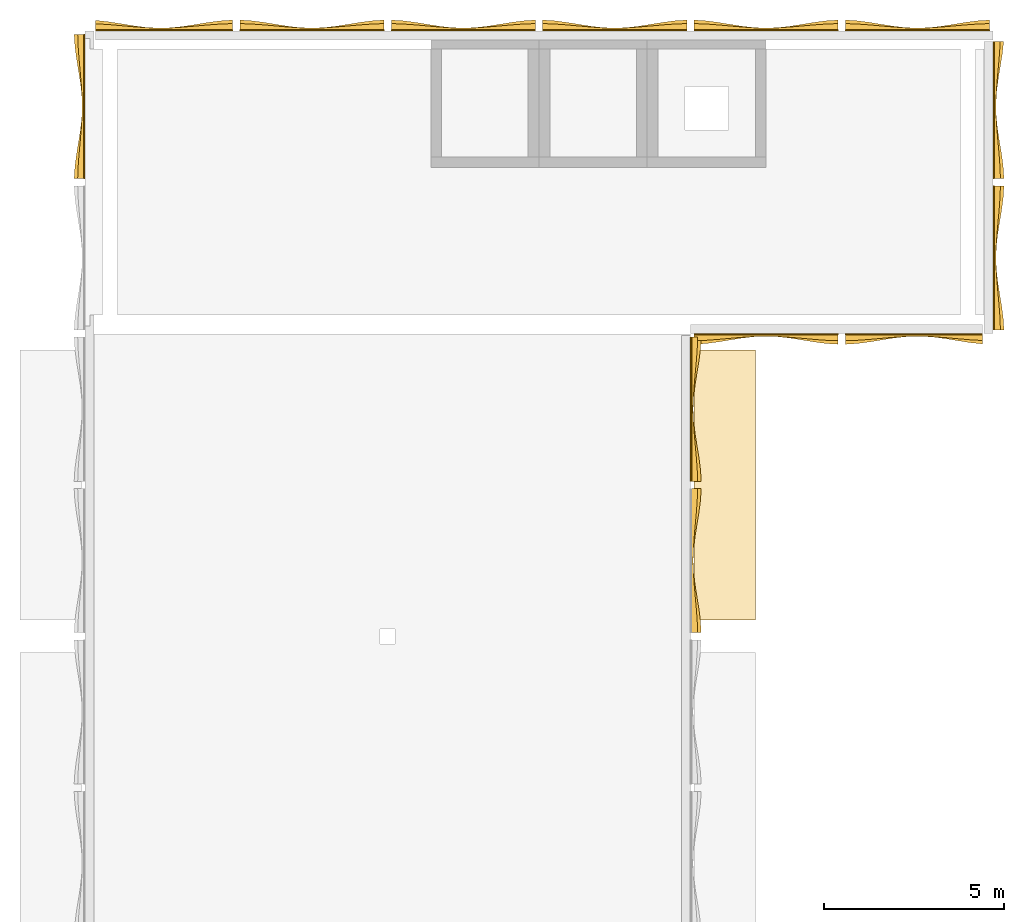
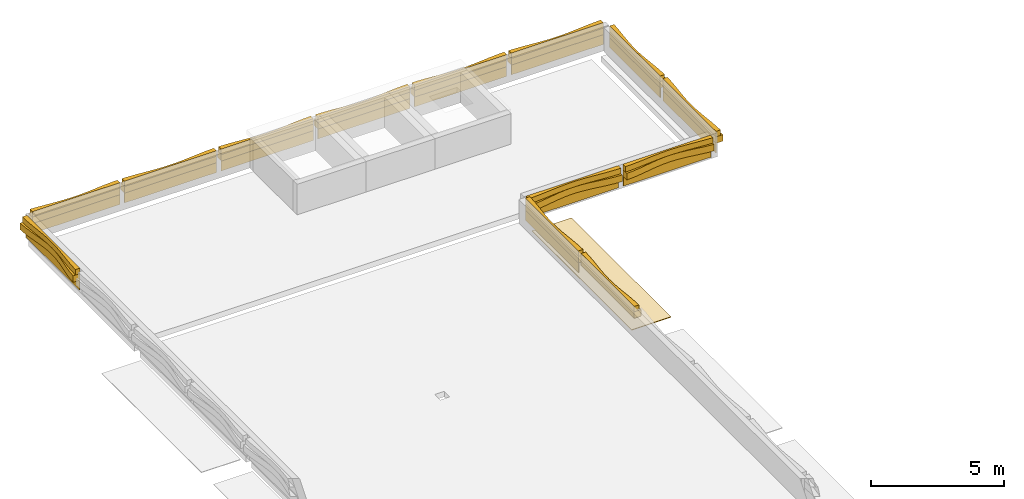
# One storey, part 4 of 4: 39 coverings.
"""IFC4 building model written with IfcOpenShell, lengths in metres."""

from ifc_helpers import new_model, si_unit, direction, frame, origin, origin_2d, place, context, subcontext, project, spatial, polyline, rectangle, outline, extrude, material, layer, layer_set, type_object, element, save


model = new_model("IFC4")

# Units and contexts
model_context = context("Model", 3, precision=1e-05, world=origin(), true_north=direction((0.0, 1.0)))
body_context = subcontext(model_context, "Body", "Model", "MODEL_VIEW")
ifc_project = project(units=[si_unit("LENGTHUNIT", "METRE"), si_unit("AREAUNIT", "SQUARE_METRE"), si_unit("VOLUMEUNIT", "CUBIC_METRE"), si_unit("PLANEANGLEUNIT", "RADIAN"), si_unit("MASSUNIT", "GRAM", prefix="KILO")], contexts=[model_context])

# Site, building, storey
site_placement = place(None, origin())
site = spatial("IfcSite", under=ifc_project, at=site_placement, CompositionType="ELEMENT")
building_placement = place(site_placement, origin())
building = spatial("IfcBuilding", under=site, at=building_placement, Name="Catenary Quay Ferry Terminal", CompositionType="ELEMENT")
storey_placement = place(building_placement, frame((0.0, 0.0, 24.10009765625)))
storey = spatial("IfcBuildingStorey", under=building, at=storey_placement, Name="ROOF", CompositionType="ELEMENT", Elevation=24.10009765625)

# Coverings
ifc_material_1 = material(Name="Facing brick", Category="masonry")
ifc_layer_1 = layer(ifc_material_1, 0.10009765625)
ifc_layer_set_1 = layer_set([ifc_layer_1], Name="CN1")
covering_type_1 = type_object("IfcCoveringType", Name="CN1", PredefinedType="CLADDING", material=ifc_layer_set_1)
covering_1_placement = place(storey_placement, frame((0.0, 0.0, 0.5498046875)))
element("IfcCovering", 1, at=covering_1_placement, inside=storey, type_object=covering_type_1, Name="Undulating corbelled cornice", PredefinedType="CLADDING", context=body_context, shape_type="SweptSolid", body=[
    extrude(outline(polyline([(25.199951171875, 205.89990234375), (24.9013671875, 205.89990234375), (24.9228515625, 206.2333984375), (24.96630859375, 206.566650390625), (25.02099609375, 206.89990234375), (25.073486328125, 207.2333984375), (25.111328125, 207.566650390625), (25.125, 207.89990234375), (25.111328125, 208.2333984375), (25.073486328125, 208.566650390625), (25.02099609375, 208.89990234375), (24.96630859375, 209.2333984375), (24.9228515625, 209.566650390625), (24.9013671875, 209.89990234375), (25.199951171875, 209.89990234375), (25.199951171875, 205.89990234375)])), origin(), (0.0, 0.0, 1.0), 0.300048828125),
])
covering_2_placement = place(storey_placement, frame((0.0, 0.0, 0.849853515625)))
element("IfcCovering", 2, at=covering_2_placement, inside=storey, type_object=covering_type_1, Name="Undulating corbelled cornice", PredefinedType="CLADDING", context=body_context, shape_type="SweptSolid", body=[
    extrude(outline(polyline([(25.199951171875, 205.89990234375), (25.000732421875, 205.89990234375), (25.0126953125, 206.2333984375), (25.036865234375, 206.566650390625), (25.067138671875, 206.89990234375), (25.096435546875, 207.2333984375), (25.117431640625, 207.566650390625), (25.125, 207.89990234375), (25.117431640625, 208.2333984375), (25.096435546875, 208.566650390625), (25.067138671875, 208.89990234375), (25.036865234375, 209.2333984375), (25.0126953125, 209.566650390625), (25.000732421875, 209.89990234375), (25.199951171875, 209.89990234375), (25.199951171875, 205.89990234375)])), origin(), (0.0, 0.0, 1.0), 0.25),
])
covering_3_placement = place(storey_placement, frame((0.0, 0.0, 0.5498046875)))
element("IfcCovering", 3, at=covering_3_placement, inside=storey, type_object=covering_type_1, Name="Undulating corbelled cornice", PredefinedType="CLADDING", context=body_context, shape_type="SweptSolid", body=[
    extrude(outline(polyline([(25.5, 210.0), (25.5, 210.288818359375), (25.845458984375, 210.25146484375), (26.19091796875, 210.197509765625), (26.536376953125, 210.140869140625), (26.8818359375, 210.09619140625), (27.227294921875, 210.07568359375), (27.57275390625, 210.084228515625), (27.918212890625, 210.119873046875), (28.263671875, 210.173095703125), (28.609130859375, 210.22998046875), (28.95458984375, 210.27587890625), (29.300048828125, 210.298583984375), (29.300048828125, 210.0), (25.5, 210.0)])), origin(), (0.0, 0.0, 1.0), 0.300048828125),
])
covering_4_placement = place(storey_placement, frame((0.0, 0.0, 0.849853515625)))
element("IfcCovering", 4, at=covering_4_placement, inside=storey, type_object=covering_type_1, Name="Undulating corbelled cornice", PredefinedType="CLADDING", context=body_context, shape_type="SweptSolid", body=[
    extrude(outline(polyline([(25.5, 210.0), (25.5, 210.19384765625), (25.845458984375, 210.173095703125), (26.19091796875, 210.14306640625), (26.536376953125, 210.111572265625), (26.8818359375, 210.0869140625), (27.227294921875, 210.075439453125), (27.57275390625, 210.080078125), (27.918212890625, 210.099853515625), (28.263671875, 210.12939453125), (28.609130859375, 210.1611328125), (28.95458984375, 210.1865234375), (29.300048828125, 210.19921875), (29.300048828125, 210.0), (25.5, 210.0)])), origin(), (0.0, 0.0, 1.0), 0.25),
])
covering_5_placement = place(storey_placement, frame((0.0, 0.0, 0.5498046875)))
element("IfcCovering", 5, at=covering_5_placement, inside=storey, type_object=covering_type_1, Name="Undulating corbelled cornice", PredefinedType="CLADDING", context=body_context, shape_type="SweptSolid", body=[
    extrude(outline(polyline([(29.5, 210.0), (29.5, 210.298583984375), (29.833251953125, 210.277099609375), (30.166748046875, 210.23388671875), (30.5, 210.17919921875), (30.833251953125, 210.12646484375), (31.166748046875, 210.088623046875), (31.5, 210.074951171875), (31.833251953125, 210.088623046875), (32.166748046875, 210.12646484375), (32.5, 210.17919921875), (32.833251953125, 210.23388671875), (33.166748046875, 210.277099609375), (33.5, 210.298583984375), (33.5, 210.0), (29.5, 210.0)])), origin(), (0.0, 0.0, 1.0), 0.300048828125),
])
covering_6_placement = place(storey_placement, frame((0.0, 0.0, 0.849853515625)))
element("IfcCovering", 6, at=covering_6_placement, inside=storey, type_object=covering_type_1, Name="Undulating corbelled cornice", PredefinedType="CLADDING", context=body_context, shape_type="SweptSolid", body=[
    extrude(outline(polyline([(29.5, 210.0), (29.5, 210.19921875), (29.833251953125, 210.187255859375), (30.166748046875, 210.1630859375), (30.5, 210.1328125), (30.833251953125, 210.103515625), (31.166748046875, 210.08251953125), (31.5, 210.074951171875), (31.833251953125, 210.08251953125), (32.166748046875, 210.103515625), (32.5, 210.1328125), (32.833251953125, 210.1630859375), (33.166748046875, 210.187255859375), (33.5, 210.19921875), (33.5, 210.0), (29.5, 210.0)])), origin(), (0.0, 0.0, 1.0), 0.25),
])
covering_7_placement = place(storey_placement, frame((0.0, 0.0, 0.5498046875)))
element("IfcCovering", 7, at=covering_7_placement, inside=storey, type_object=covering_type_1, Name="Undulating corbelled cornice", PredefinedType="CLADDING", context=body_context, shape_type="SweptSolid", body=[
    extrude(outline(polyline([(33.699951171875, 210.0), (33.699951171875, 210.298583984375), (34.033203125, 210.277099609375), (34.36669921875, 210.23388671875), (34.699951171875, 210.17919921875), (35.033203125, 210.12646484375), (35.36669921875, 210.088623046875), (35.699951171875, 210.074951171875), (36.033203125, 210.088623046875), (36.36669921875, 210.12646484375), (36.699951171875, 210.17919921875), (37.033203125, 210.23388671875), (37.36669921875, 210.277099609375), (37.699951171875, 210.298583984375), (37.699951171875, 210.0), (33.699951171875, 210.0)])), origin(), (0.0, 0.0, 1.0), 0.300048828125),
])
covering_8_placement = place(storey_placement, frame((0.0, 0.0, 0.849853515625)))
element("IfcCovering", 8, at=covering_8_placement, inside=storey, type_object=covering_type_1, Name="Undulating corbelled cornice", PredefinedType="CLADDING", context=body_context, shape_type="SweptSolid", body=[
    extrude(outline(polyline([(33.699951171875, 210.0), (33.699951171875, 210.19921875), (34.033203125, 210.187255859375), (34.36669921875, 210.1630859375), (34.699951171875, 210.1328125), (35.033203125, 210.103515625), (35.36669921875, 210.08251953125), (35.699951171875, 210.074951171875), (36.033203125, 210.08251953125), (36.36669921875, 210.103515625), (36.699951171875, 210.1328125), (37.033203125, 210.1630859375), (37.36669921875, 210.187255859375), (37.699951171875, 210.19921875), (37.699951171875, 210.0), (33.699951171875, 210.0)])), origin(), (0.0, 0.0, 1.0), 0.25),
])
covering_9_placement = place(storey_placement, frame((0.0, 0.0, 0.5498046875)))
element("IfcCovering", 9, at=covering_9_placement, inside=storey, type_object=covering_type_1, Name="Undulating corbelled cornice", PredefinedType="CLADDING", context=body_context, shape_type="SweptSolid", body=[
    extrude(outline(polyline([(37.89990234375, 210.0), (37.89990234375, 210.298583984375), (38.2333984375, 210.277099609375), (38.566650390625, 210.23388671875), (38.89990234375, 210.17919921875), (39.2333984375, 210.12646484375), (39.566650390625, 210.088623046875), (39.89990234375, 210.074951171875), (40.2333984375, 210.088623046875), (40.566650390625, 210.12646484375), (40.89990234375, 210.17919921875), (41.2333984375, 210.23388671875), (41.566650390625, 210.277099609375), (41.89990234375, 210.298583984375), (41.89990234375, 210.0), (37.89990234375, 210.0)])), origin(), (0.0, 0.0, 1.0), 0.300048828125),
])
covering_10_placement = place(storey_placement, frame((0.0, 0.0, 0.849853515625)))
element("IfcCovering", 10, at=covering_10_placement, inside=storey, type_object=covering_type_1, Name="Undulating corbelled cornice", PredefinedType="CLADDING", context=body_context, shape_type="SweptSolid", body=[
    extrude(outline(polyline([(37.89990234375, 210.0), (37.89990234375, 210.19921875), (38.2333984375, 210.187255859375), (38.566650390625, 210.1630859375), (38.89990234375, 210.1328125), (39.2333984375, 210.103515625), (39.566650390625, 210.08251953125), (39.89990234375, 210.074951171875), (40.2333984375, 210.08251953125), (40.566650390625, 210.103515625), (40.89990234375, 210.1328125), (41.2333984375, 210.1630859375), (41.566650390625, 210.187255859375), (41.89990234375, 210.19921875), (41.89990234375, 210.0), (37.89990234375, 210.0)])), origin(), (0.0, 0.0, 1.0), 0.25),
])
covering_11_placement = place(storey_placement, frame((0.0, 0.0, 0.5498046875)))
element("IfcCovering", 11, at=covering_11_placement, inside=storey, type_object=covering_type_1, Name="Undulating corbelled cornice", PredefinedType="CLADDING", context=body_context, shape_type="SweptSolid", body=[
    extrude(outline(polyline([(42.10009765625, 210.0), (42.10009765625, 210.298583984375), (42.433349609375, 210.277099609375), (42.7666015625, 210.23388671875), (43.10009765625, 210.17919921875), (43.433349609375, 210.12646484375), (43.7666015625, 210.088623046875), (44.10009765625, 210.074951171875), (44.433349609375, 210.088623046875), (44.7666015625, 210.12646484375), (45.10009765625, 210.17919921875), (45.433349609375, 210.23388671875), (45.7666015625, 210.277099609375), (46.10009765625, 210.298583984375), (46.10009765625, 210.0), (42.10009765625, 210.0)])), origin(), (0.0, 0.0, 1.0), 0.300048828125),
])
covering_12_placement = place(storey_placement, frame((0.0, 0.0, 0.849853515625)))
element("IfcCovering", 12, at=covering_12_placement, inside=storey, type_object=covering_type_1, Name="Undulating corbelled cornice", PredefinedType="CLADDING", context=body_context, shape_type="SweptSolid", body=[
    extrude(outline(polyline([(42.10009765625, 210.0), (42.10009765625, 210.19921875), (42.433349609375, 210.187255859375), (42.7666015625, 210.1630859375), (43.10009765625, 210.1328125), (43.433349609375, 210.103515625), (43.7666015625, 210.08251953125), (44.10009765625, 210.074951171875), (44.433349609375, 210.08251953125), (44.7666015625, 210.103515625), (45.10009765625, 210.1328125), (45.433349609375, 210.1630859375), (45.7666015625, 210.187255859375), (46.10009765625, 210.19921875), (46.10009765625, 210.0), (42.10009765625, 210.0)])), origin(), (0.0, 0.0, 1.0), 0.25),
])
covering_13_placement = place(storey_placement, frame((0.0, 0.0, 0.5498046875)))
element("IfcCovering", 13, at=covering_13_placement, inside=storey, type_object=covering_type_1, Name="Undulating corbelled cornice", PredefinedType="CLADDING", context=body_context, shape_type="SweptSolid", body=[
    extrude(outline(polyline([(46.300048828125, 210.0), (46.300048828125, 210.298583984375), (46.63330078125, 210.277099609375), (46.966796875, 210.23388671875), (47.300048828125, 210.17919921875), (47.63330078125, 210.12646484375), (47.966796875, 210.088623046875), (48.300048828125, 210.074951171875), (48.63330078125, 210.088623046875), (48.966796875, 210.12646484375), (49.300048828125, 210.17919921875), (49.63330078125, 210.23388671875), (49.966796875, 210.277099609375), (50.300048828125, 210.298583984375), (50.300048828125, 210.0), (46.300048828125, 210.0)])), origin(), (0.0, 0.0, 1.0), 0.300048828125),
])
covering_14_placement = place(storey_placement, frame((0.0, 0.0, 0.849853515625)))
element("IfcCovering", 14, at=covering_14_placement, inside=storey, type_object=covering_type_1, Name="Undulating corbelled cornice", PredefinedType="CLADDING", context=body_context, shape_type="SweptSolid", body=[
    extrude(outline(polyline([(46.300048828125, 210.0), (46.300048828125, 210.19921875), (46.63330078125, 210.187255859375), (46.966796875, 210.1630859375), (47.300048828125, 210.1328125), (47.63330078125, 210.103515625), (47.966796875, 210.08251953125), (48.300048828125, 210.074951171875), (48.63330078125, 210.08251953125), (48.966796875, 210.103515625), (49.300048828125, 210.1328125), (49.63330078125, 210.1630859375), (49.966796875, 210.187255859375), (50.300048828125, 210.19921875), (50.300048828125, 210.0), (46.300048828125, 210.0)])), origin(), (0.0, 0.0, 1.0), 0.25),
])
covering_15_placement = place(storey_placement, frame((0.0, 0.0, 0.5498046875)))
element("IfcCovering", 15, at=covering_15_placement, inside=storey, type_object=covering_type_1, Name="Undulating corbelled cornice", PredefinedType="CLADDING", context=body_context, shape_type="SweptSolid", body=[
    extrude(outline(polyline([(50.39990234375, 201.699951171875), (50.69873046875, 201.699951171875), (50.67724609375, 202.033203125), (50.6337890625, 202.36669921875), (50.5791015625, 202.699951171875), (50.526611328125, 203.033203125), (50.48876953125, 203.36669921875), (50.47509765625, 203.699951171875), (50.48876953125, 204.033203125), (50.526611328125, 204.36669921875), (50.5791015625, 204.699951171875), (50.6337890625, 205.033203125), (50.67724609375, 205.36669921875), (50.69873046875, 205.699951171875), (50.39990234375, 205.699951171875), (50.39990234375, 201.699951171875)])), origin(), (0.0, 0.0, 1.0), 0.300048828125),
])
covering_16_placement = place(storey_placement, frame((0.0, 0.0, 0.849853515625)))
element("IfcCovering", 16, at=covering_16_placement, inside=storey, type_object=covering_type_1, Name="Undulating corbelled cornice", PredefinedType="CLADDING", context=body_context, shape_type="SweptSolid", body=[
    extrude(outline(polyline([(50.39990234375, 201.699951171875), (50.599365234375, 201.699951171875), (50.58740234375, 202.033203125), (50.563232421875, 202.36669921875), (50.53271484375, 202.699951171875), (50.503662109375, 203.033203125), (50.482666015625, 203.36669921875), (50.47509765625, 203.699951171875), (50.482666015625, 204.033203125), (50.503662109375, 204.36669921875), (50.53271484375, 204.699951171875), (50.563232421875, 205.033203125), (50.58740234375, 205.36669921875), (50.599365234375, 205.699951171875), (50.39990234375, 205.699951171875), (50.39990234375, 201.699951171875)])), origin(), (0.0, 0.0, 1.0), 0.25),
])
covering_17_placement = place(storey_placement, frame((0.0, 0.0, 0.5498046875)))
element("IfcCovering", 17, at=covering_17_placement, inside=storey, type_object=covering_type_1, Name="Undulating corbelled cornice", PredefinedType="CLADDING", context=body_context, shape_type="SweptSolid", body=[
    extrude(outline(polyline([(50.39990234375, 205.89990234375), (50.69873046875, 205.89990234375), (50.67578125, 206.24560546875), (50.6298828125, 206.5908203125), (50.572998046875, 206.936279296875), (50.519775390625, 207.28173828125), (50.484130859375, 207.627197265625), (50.4755859375, 207.97265625), (50.496337890625, 208.318115234375), (50.540771484375, 208.66357421875), (50.597412109375, 209.009033203125), (50.651611328125, 209.3544921875), (50.68896484375, 209.699951171875), (50.39990234375, 209.699951171875), (50.39990234375, 205.89990234375)])), origin(), (0.0, 0.0, 1.0), 0.300048828125),
])
covering_18_placement = place(storey_placement, frame((0.0, 0.0, 0.849853515625)))
element("IfcCovering", 18, at=covering_18_placement, inside=storey, type_object=covering_type_1, Name="Undulating corbelled cornice", PredefinedType="CLADDING", context=body_context, shape_type="SweptSolid", body=[
    extrude(outline(polyline([(50.39990234375, 205.89990234375), (50.599365234375, 205.89990234375), (50.586669921875, 206.24560546875), (50.56103515625, 206.5908203125), (50.529296875, 206.936279296875), (50.5, 207.28173828125), (50.47998046875, 207.627197265625), (50.475341796875, 207.97265625), (50.48681640625, 208.318115234375), (50.511474609375, 208.66357421875), (50.54296875, 209.009033203125), (50.572998046875, 209.3544921875), (50.59375, 209.699951171875), (50.39990234375, 209.699951171875), (50.39990234375, 205.89990234375)])), origin(), (0.0, 0.0, 1.0), 0.25),
])
covering_19_placement = place(storey_placement, frame((0.0, 0.0, 0.5498046875)))
element("IfcCovering", 19, at=covering_19_placement, inside=storey, type_object=covering_type_1, Name="Undulating corbelled cornice", PredefinedType="CLADDING", context=body_context, shape_type="SweptSolid", body=[
    extrude(outline(polyline([(42.10009765625, 201.60009765625), (42.10009765625, 201.30126953125), (42.433349609375, 201.32275390625), (42.7666015625, 201.3662109375), (43.10009765625, 201.4208984375), (43.433349609375, 201.473388671875), (43.7666015625, 201.51123046875), (44.10009765625, 201.52490234375), (44.433349609375, 201.51123046875), (44.7666015625, 201.473388671875), (45.10009765625, 201.4208984375), (45.433349609375, 201.3662109375), (45.7666015625, 201.32275390625), (46.10009765625, 201.30126953125), (46.10009765625, 201.60009765625), (42.10009765625, 201.60009765625)])), origin(), (0.0, 0.0, 1.0), 0.300048828125),
])
covering_20_placement = place(storey_placement, frame((0.0, 0.0, 0.849853515625)))
element("IfcCovering", 20, at=covering_20_placement, inside=storey, type_object=covering_type_1, Name="Undulating corbelled cornice", PredefinedType="CLADDING", context=body_context, shape_type="SweptSolid", body=[
    extrude(outline(polyline([(42.10009765625, 201.60009765625), (42.10009765625, 201.400634765625), (42.433349609375, 201.41259765625), (42.7666015625, 201.436767578125), (43.10009765625, 201.46728515625), (43.433349609375, 201.496337890625), (43.7666015625, 201.517333984375), (44.10009765625, 201.52490234375), (44.433349609375, 201.517333984375), (44.7666015625, 201.496337890625), (45.10009765625, 201.46728515625), (45.433349609375, 201.436767578125), (45.7666015625, 201.41259765625), (46.10009765625, 201.400634765625), (46.10009765625, 201.60009765625), (42.10009765625, 201.60009765625)])), origin(), (0.0, 0.0, 1.0), 0.25),
])
covering_21_placement = place(storey_placement, frame((0.0, 0.0, 0.5498046875)))
element("IfcCovering", 21, at=covering_21_placement, inside=storey, type_object=covering_type_1, Name="Undulating corbelled cornice", PredefinedType="CLADDING", context=body_context, shape_type="SweptSolid", body=[
    extrude(outline(polyline([(46.300048828125, 201.60009765625), (46.300048828125, 201.30126953125), (46.6455078125, 201.32421875), (46.990966796875, 201.3701171875), (47.33642578125, 201.427001953125), (47.681884765625, 201.480224609375), (48.02734375, 201.515869140625), (48.372802734375, 201.5244140625), (48.71826171875, 201.503662109375), (49.063720703125, 201.459228515625), (49.4091796875, 201.402587890625), (49.75439453125, 201.348388671875), (50.10009765625, 201.31103515625), (50.10009765625, 201.60009765625), (46.300048828125, 201.60009765625)])), origin(), (0.0, 0.0, 1.0), 0.300048828125),
])
covering_22_placement = place(storey_placement, frame((0.0, 0.0, 0.849853515625)))
element("IfcCovering", 22, at=covering_22_placement, inside=storey, type_object=covering_type_1, Name="Undulating corbelled cornice", PredefinedType="CLADDING", context=body_context, shape_type="SweptSolid", body=[
    extrude(outline(polyline([(46.300048828125, 201.60009765625), (46.300048828125, 201.400634765625), (46.6455078125, 201.413330078125), (46.990966796875, 201.43896484375), (47.33642578125, 201.470703125), (47.681884765625, 201.5), (48.02734375, 201.52001953125), (48.372802734375, 201.524658203125), (48.71826171875, 201.51318359375), (49.063720703125, 201.488525390625), (49.4091796875, 201.45703125), (49.75439453125, 201.427001953125), (50.10009765625, 201.40625), (50.10009765625, 201.60009765625), (46.300048828125, 201.60009765625)])), origin(), (0.0, 0.0, 1.0), 0.25),
])
covering_23_placement = place(storey_placement, frame((0.0, 0.0, 0.5498046875)))
element("IfcCovering", 23, at=covering_23_placement, inside=storey, type_object=covering_type_1, Name="Undulating corbelled cornice", PredefinedType="CLADDING", context=body_context, shape_type="SweptSolid", body=[
    extrude(outline(polyline([(42.0, 193.300048828125), (42.298583984375, 193.300048828125), (42.277099609375, 193.63330078125), (42.23388671875, 193.966796875), (42.17919921875, 194.300048828125), (42.12646484375, 194.63330078125), (42.088623046875, 194.966796875), (42.074951171875, 195.300048828125), (42.088623046875, 195.63330078125), (42.12646484375, 195.966796875), (42.17919921875, 196.300048828125), (42.23388671875, 196.63330078125), (42.277099609375, 196.966796875), (42.298583984375, 197.300048828125), (42.0, 197.300048828125), (42.0, 193.300048828125)])), origin(), (0.0, 0.0, 1.0), 0.300048828125),
])
covering_24_placement = place(storey_placement, frame((0.0, 0.0, 0.849853515625)))
element("IfcCovering", 24, at=covering_24_placement, inside=storey, type_object=covering_type_1, Name="Undulating corbelled cornice", PredefinedType="CLADDING", context=body_context, shape_type="SweptSolid", body=[
    extrude(outline(polyline([(42.0, 193.300048828125), (42.19921875, 193.300048828125), (42.187255859375, 193.63330078125), (42.1630859375, 193.966796875), (42.1328125, 194.300048828125), (42.103515625, 194.63330078125), (42.08251953125, 194.966796875), (42.074951171875, 195.300048828125), (42.08251953125, 195.63330078125), (42.103515625, 195.966796875), (42.1328125, 196.300048828125), (42.1630859375, 196.63330078125), (42.187255859375, 196.966796875), (42.19921875, 197.300048828125), (42.0, 197.300048828125), (42.0, 193.300048828125)])), origin(), (0.0, 0.0, 1.0), 0.25),
])
covering_25_placement = place(storey_placement, frame((0.0, 0.0, 0.5498046875)))
element("IfcCovering", 25, at=covering_25_placement, inside=storey, type_object=covering_type_1, Name="Undulating corbelled cornice", PredefinedType="CLADDING", context=body_context, shape_type="SweptSolid", body=[
    extrude(outline(polyline([(42.0, 197.5), (42.298583984375, 197.5), (42.277099609375, 197.833251953125), (42.23388671875, 198.166748046875), (42.17919921875, 198.5), (42.12646484375, 198.833251953125), (42.088623046875, 199.166748046875), (42.074951171875, 199.5), (42.088623046875, 199.833251953125), (42.12646484375, 200.166748046875), (42.17919921875, 200.5), (42.23388671875, 200.833251953125), (42.277099609375, 201.166748046875), (42.298583984375, 201.5), (42.0, 201.5), (42.0, 197.5)])), origin(), (0.0, 0.0, 1.0), 0.300048828125),
])
covering_26_placement = place(storey_placement, frame((0.0, 0.0, 0.849853515625)))
element("IfcCovering", 26, at=covering_26_placement, inside=storey, type_object=covering_type_1, Name="Undulating corbelled cornice", PredefinedType="CLADDING", context=body_context, shape_type="SweptSolid", body=[
    extrude(outline(polyline([(42.0, 197.5), (42.19921875, 197.5), (42.187255859375, 197.833251953125), (42.1630859375, 198.166748046875), (42.1328125, 198.5), (42.103515625, 198.833251953125), (42.08251953125, 199.166748046875), (42.074951171875, 199.5), (42.08251953125, 199.833251953125), (42.103515625, 200.166748046875), (42.1328125, 200.5), (42.1630859375, 200.833251953125), (42.187255859375, 201.166748046875), (42.19921875, 201.5), (42.0, 201.5), (42.0, 197.5)])), origin(), (0.0, 0.0, 1.0), 0.25),
])
ifc_material_2 = material(Name="Ceramic tile")
ifc_layer_2 = layer(ifc_material_2, 0.030029296875)
ifc_layer_set_2 = layer_set([ifc_layer_2], Name="FR1")
covering_type_2 = type_object("IfcCoveringType", Name="FR1", PredefinedType="CLADDING", material=ifc_layer_set_2)
covering_27_placement = place(storey_placement, frame((0.0, 0.0, 0.099853515625)))
element("IfcCovering", 27, at=covering_27_placement, inside=storey, type_object=covering_type_2, Name="Glazed tile frieze", PredefinedType="CLADDING", context=body_context, shape_type="SweptSolid", body=[
    extrude(outline(polyline([(25.199951171875, 205.89990234375), (25.199951171875, 209.89990234375), (25.169921875, 209.89990234375), (25.169921875, 205.89990234375), (25.199951171875, 205.89990234375)])), origin(), (0.0, 0.0, 1.0), 0.449951171875),
])
covering_28_placement = place(storey_placement, frame((0.0, 0.0, 0.099853515625)))
element("IfcCovering", 28, at=covering_28_placement, inside=storey, type_object=covering_type_2, Name="Glazed tile frieze", PredefinedType="CLADDING", context=body_context, shape_type="SweptSolid", body=[
    extrude(outline(polyline([(25.5, 210.0), (29.300048828125, 210.0), (29.300048828125, 210.030029296875), (25.5, 210.030029296875), (25.5, 210.0)])), origin(), (0.0, 0.0, 1.0), 0.449951171875),
])
covering_29_placement = place(storey_placement, frame((0.0, 0.0, 0.099853515625)))
element("IfcCovering", 29, at=covering_29_placement, inside=storey, type_object=covering_type_2, Name="Glazed tile frieze", PredefinedType="CLADDING", context=body_context, shape_type="SweptSolid", body=[
    extrude(outline(polyline([(29.5, 210.0), (33.5, 210.0), (33.5, 210.030029296875), (29.5, 210.030029296875), (29.5, 210.0)])), origin(), (0.0, 0.0, 1.0), 0.449951171875),
])
covering_30_placement = place(storey_placement, frame((0.0, 0.0, 0.099853515625)))
element("IfcCovering", 30, at=covering_30_placement, inside=storey, type_object=covering_type_2, Name="Glazed tile frieze", PredefinedType="CLADDING", context=body_context, shape_type="SweptSolid", body=[
    extrude(outline(polyline([(33.699951171875, 210.0), (37.699951171875, 210.0), (37.699951171875, 210.030029296875), (33.699951171875, 210.030029296875), (33.699951171875, 210.0)])), origin(), (0.0, 0.0, 1.0), 0.449951171875),
])
covering_31_placement = place(storey_placement, frame((0.0, 0.0, 0.099853515625)))
element("IfcCovering", 31, at=covering_31_placement, inside=storey, type_object=covering_type_2, Name="Glazed tile frieze", PredefinedType="CLADDING", context=body_context, shape_type="SweptSolid", body=[
    extrude(outline(polyline([(37.89990234375, 210.0), (41.89990234375, 210.0), (41.89990234375, 210.030029296875), (37.89990234375, 210.030029296875), (37.89990234375, 210.0)])), origin(), (0.0, 0.0, 1.0), 0.449951171875),
])
covering_32_placement = place(storey_placement, frame((0.0, 0.0, 0.099853515625)))
element("IfcCovering", 32, at=covering_32_placement, inside=storey, type_object=covering_type_2, Name="Glazed tile frieze", PredefinedType="CLADDING", context=body_context, shape_type="SweptSolid", body=[
    extrude(outline(polyline([(42.10009765625, 210.0), (46.10009765625, 210.0), (46.10009765625, 210.030029296875), (42.10009765625, 210.030029296875), (42.10009765625, 210.0)])), origin(), (0.0, 0.0, 1.0), 0.449951171875),
])
covering_33_placement = place(storey_placement, frame((0.0, 0.0, 0.099853515625)))
element("IfcCovering", 33, at=covering_33_placement, inside=storey, type_object=covering_type_2, Name="Glazed tile frieze", PredefinedType="CLADDING", context=body_context, shape_type="SweptSolid", body=[
    extrude(outline(polyline([(46.300048828125, 210.0), (50.300048828125, 210.0), (50.300048828125, 210.030029296875), (46.300048828125, 210.030029296875), (46.300048828125, 210.0)])), origin(), (0.0, 0.0, 1.0), 0.449951171875),
])
covering_34_placement = place(storey_placement, frame((0.0, 0.0, 0.099853515625)))
element("IfcCovering", 34, at=covering_34_placement, inside=storey, type_object=covering_type_2, Name="Glazed tile frieze", PredefinedType="CLADDING", context=body_context, shape_type="SweptSolid", body=[
    extrude(outline(polyline([(50.39990234375, 201.699951171875), (50.39990234375, 205.699951171875), (50.429931640625, 205.699951171875), (50.429931640625, 201.699951171875), (50.39990234375, 201.699951171875)])), origin(), (0.0, 0.0, 1.0), 0.449951171875),
])
covering_35_placement = place(storey_placement, frame((0.0, 0.0, 0.099853515625)))
element("IfcCovering", 35, at=covering_35_placement, inside=storey, type_object=covering_type_2, Name="Glazed tile frieze", PredefinedType="CLADDING", context=body_context, shape_type="SweptSolid", body=[
    extrude(outline(polyline([(50.39990234375, 205.89990234375), (50.39990234375, 209.699951171875), (50.429931640625, 209.699951171875), (50.429931640625, 205.89990234375), (50.39990234375, 205.89990234375)])), origin(), (0.0, 0.0, 1.0), 0.449951171875),
])
covering_36_placement = place(storey_placement, frame((0.0, 0.0, 0.099853515625)))
element("IfcCovering", 36, at=covering_36_placement, inside=storey, type_object=covering_type_2, Name="Glazed tile frieze", PredefinedType="CLADDING", context=body_context, shape_type="SweptSolid", body=[
    extrude(outline(polyline([(42.10009765625, 201.60009765625), (46.10009765625, 201.60009765625), (46.10009765625, 201.570068359375), (42.10009765625, 201.570068359375), (42.10009765625, 201.60009765625)])), origin(), (0.0, 0.0, 1.0), 0.449951171875),
])
covering_37_placement = place(storey_placement, frame((0.0, 0.0, 0.099853515625)))
element("IfcCovering", 37, at=covering_37_placement, inside=storey, type_object=covering_type_2, Name="Glazed tile frieze", PredefinedType="CLADDING", context=body_context, shape_type="SweptSolid", body=[
    extrude(outline(polyline([(46.300048828125, 201.60009765625), (50.10009765625, 201.60009765625), (50.10009765625, 201.570068359375), (46.300048828125, 201.570068359375), (46.300048828125, 201.60009765625)])), origin(), (0.0, 0.0, 1.0), 0.449951171875),
])
covering_38_placement = place(storey_placement, frame((0.0, 0.0, 0.099853515625)))
element("IfcCovering", 38, at=covering_38_placement, inside=storey, type_object=covering_type_2, Name="Glazed tile frieze", PredefinedType="CLADDING", context=body_context, shape_type="SweptSolid", body=[
    extrude(outline(polyline([(42.0, 197.5), (42.0, 201.5), (42.030029296875, 201.5), (42.030029296875, 197.5), (42.0, 197.5)])), origin(), (0.0, 0.0, 1.0), 0.449951171875),
])
ifc_material_3 = material(Name="Laminated glass", Category="glass")
ifc_layer_3 = layer(ifc_material_3, 0.030029296875)
ifc_layer_set_3 = layer_set([ifc_layer_3], Name="RF2")
covering_type_3 = type_object("IfcCoveringType", Name="RF2", PredefinedType="ROOFING", material=ifc_layer_set_3)
covering_39_placement = place(storey_placement, frame((42.94775390625, 197.39990234375, -0.25), z_axis=(0.0, 0.0, 1.0), x_axis=(1.0, 0.0, 0.0)))
element("IfcCovering", 39, at=covering_39_placement, inside=storey, type_object=covering_type_3, Name="Eaves canopy, laminated glass", PredefinedType="ROOFING", context=body_context, shape_type="SweptSolid", body=[
    extrude(rectangle(XDim=1.70458984375, YDim=7.5, at=origin_2d()), origin(), (0.0, 0.0, 1.0), 0.030029296875),
])

save(model, "model.ifc")
